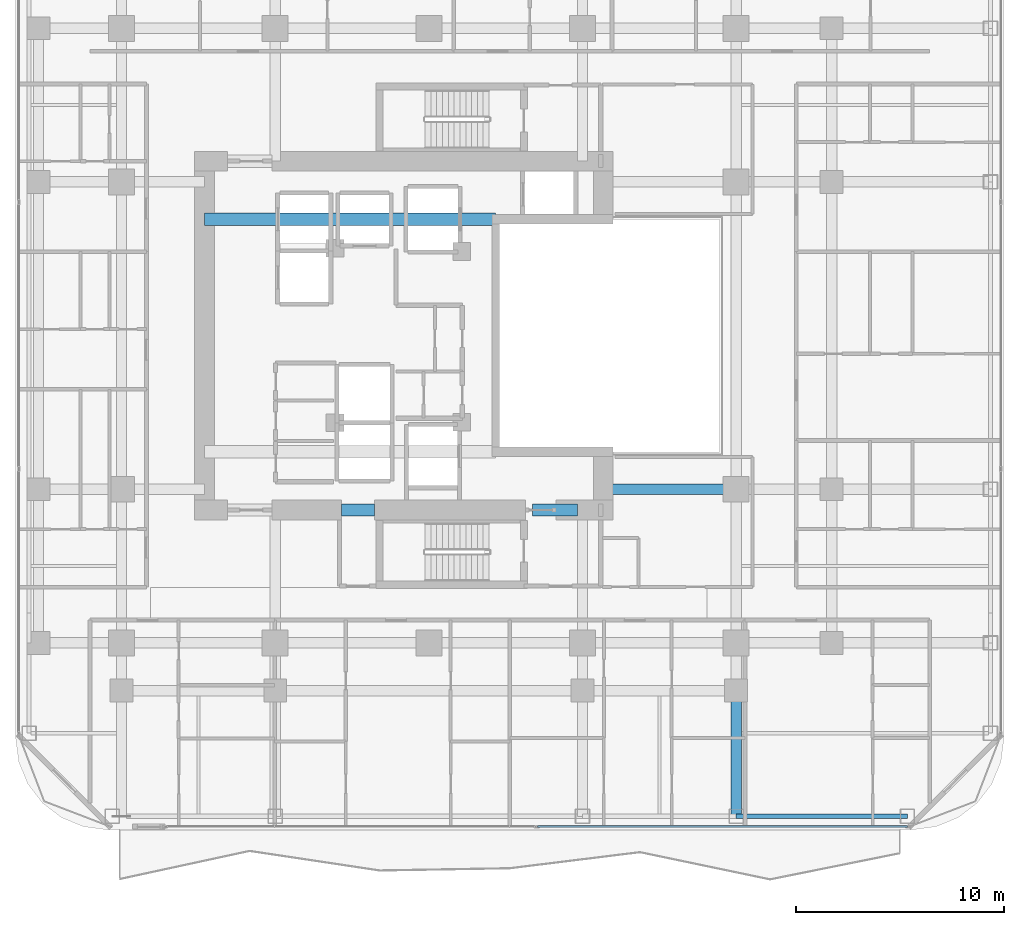
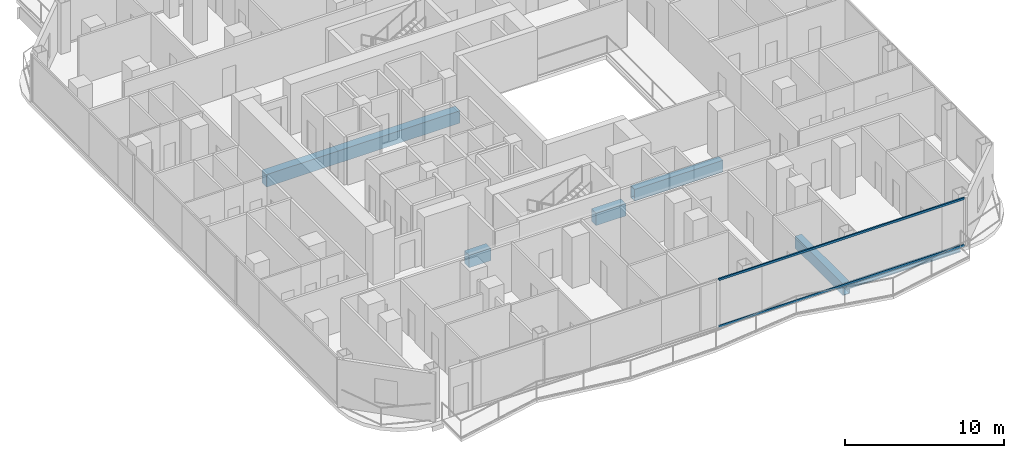
# One storey, part 9 of 29: 6 beams, 2 members, 1 element without a shape of its own.
"""IFC4 building model written with IfcOpenShell, lengths in metres."""

from ifc_helpers import new_model, si_unit, direction, frame, origin, origin_2d, place, context, subcontext, project, spatial, rectangle, hollow_rectangle, i_section, extrude, material, layer, layer_set, material_profile, profile_set, type_object, element, aggregate, save


model = new_model("IFC4")

# Units and contexts
model_context = context("Model", 3, precision=1e-05, world=origin(), true_north=direction((0.0, 1.0)))
body_context = subcontext(model_context, "Body", "Model", "MODEL_VIEW")
ifc_project = project(units=[si_unit("LENGTHUNIT", "METRE"), si_unit("AREAUNIT", "SQUARE_METRE"), si_unit("VOLUMEUNIT", "CUBIC_METRE"), si_unit("PLANEANGLEUNIT", "RADIAN"), si_unit("MASSUNIT", "GRAM", prefix="KILO")], contexts=[model_context])

# Site, building, storey
site_placement = place(None, origin())
site = spatial("IfcSite", under=ifc_project, at=site_placement, CompositionType="ELEMENT")
building_placement = place(site_placement, origin())
building = spatial("IfcBuilding", under=site, at=building_placement, Name="Khorvyn Point Tower", CompositionType="ELEMENT")
storey_placement = place(building_placement, frame((0.0, 0.0, 136.800048828125)))
storey = spatial("IfcBuildingStorey", under=building, at=storey_placement, Name="L34", CompositionType="ELEMENT", Elevation=136.800048828125)

# Curtain wall, members
ifc_material_1 = material(Name="Anodised aluminium 6063-T6 and laminated Low-E glass", Category="aluminium")
ifc_layer = layer(ifc_material_1, 0.18994140625)
ifc_layer_set = layer_set([ifc_layer], Name="Stick-Built Acoustic Curtain Wall CW-SYS-03")
curtain_wall_type = type_object("IfcCurtainWallType", Name="Stick-Built Acoustic Curtain Wall CW-SYS-03", PredefinedType="NOTDEFINED", material=ifc_layer_set)
curtain_wall_placement = place(storey_placement, origin())
curtain_wall = element("IfcCurtainWall", 1, at=curtain_wall_placement, inside=storey, type_object=curtain_wall_type, Name="Curtain Wall", PredefinedType="NOTDEFINED")
ifc_material_2 = material(Name="Anodised aluminium 6063-T6", Category="aluminium")
ifc_material_profile_1 = material_profile(ifc_material_2, hollow_rectangle(XDim=0.10009765625, YDim=0.159912109375, WallThickness=0.00439453125, at=origin_2d()))
ifc_profile_set_1 = profile_set([ifc_material_profile_1], Name="Anodised aluminium 6063-T6 ALU-TRN-100x160")
member_type = type_object("IfcMemberType", Name="Anodised Aluminium 6063-T6 Transom ALU-TRN-100x160", PredefinedType="USERDEFINED", material=ifc_profile_set_1)
member_1_placement = place(storey_placement, frame((23.050048828125, -23.64990234375, 0.050048828125), z_axis=(-1.0, 0.0, 0.0), x_axis=(0.0, -1.0, 0.0)))
member_1 = element("IfcMember", 2, at=member_1_placement, type_object=member_type, Name="Transom", ObjectType="TRANSOM", PredefinedType="USERDEFINED", context=body_context, shape_type="SweptSolid", body=[
    extrude(hollow_rectangle(XDim=0.10009765625, YDim=0.159912109375, WallThickness=0.00439453125, at=origin_2d()), origin(), (0.0, 0.0, 1.0), 17.8095703125),
])
member_2_placement = place(storey_placement, frame((23.050048828125, -23.64990234375, 3.6298828125), z_axis=(-1.0, 0.0, 0.0), x_axis=(0.0, -1.0, 0.0)))
member_2 = element("IfcMember", 3, at=member_2_placement, type_object=member_type, Name="Transom", ObjectType="TRANSOM", PredefinedType="USERDEFINED", context=body_context, shape_type="SweptSolid", body=[
    extrude(hollow_rectangle(XDim=0.10009765625, YDim=0.159912109375, WallThickness=0.00439453125, at=origin_2d()), origin(), (0.0, 0.0, 1.0), 17.8095703125),
])
aggregate(curtain_wall, [member_1, member_2])

# Beams
ifc_material_3 = material(Name="Concrete C50/60", Category="concrete")
ifc_material_profile_2 = material_profile(ifc_material_3, rectangle(XDim=0.60009765625, YDim=0.949951171875, at=origin_2d()))
ifc_profile_set_2 = profile_set([ifc_material_profile_2], Name="Concrete C50/60 RC600x950")
beam_type_1 = type_object("IfcBeamType", Name="Concrete C50/60 Beam RC600x950", PredefinedType="BEAM", material=ifc_profile_set_2)
beam_1_placement = place(storey_placement, frame((-10.800048828125, 5.60009765625, -0.755126953125), z_axis=(1.0, 0.0, 0.0), x_axis=(0.0, 1.0, 0.0)))
element("IfcBeam", 4, at=beam_1_placement, inside=storey, type_object=beam_type_1, Name="L34 Core Internal Tie Girder N", PredefinedType="BEAM", context=body_context, shape_type="SweptSolid", body=[
    extrude(rectangle(XDim=0.60009765625, YDim=0.949951171875, at=origin_2d()), origin(), (0.0, 0.0, 1.0), 14.02001953125),
])
beam_2_placement = place(storey_placement, frame((-4.199951171875, -8.39990234375, -0.755126953125), z_axis=(1.0, 0.0, 0.0), x_axis=(0.0, 1.0, 0.0)))
element("IfcBeam", 5, at=beam_2_placement, inside=storey, type_object=beam_type_1, Name="L34 Core Shuttle Portal Coupling Beam", PredefinedType="BEAM", context=body_context, shape_type="SweptSolid", body=[
    extrude(rectangle(XDim=0.60009765625, YDim=0.949951171875, at=origin_2d()), origin(), (0.0, 0.0, 1.0), 1.579833984375),
])
beam_3_placement = place(storey_placement, frame((5.0, -8.39990234375, -0.755126953125), z_axis=(1.0, 0.0, 0.0), x_axis=(0.0, 1.0, 0.0)))
element("IfcBeam", 6, at=beam_3_placement, inside=storey, type_object=beam_type_1, Name="L34 Core Southeast Portal Coupling Beam", PredefinedType="BEAM", context=body_context, shape_type="SweptSolid", body=[
    extrude(rectangle(XDim=0.60009765625, YDim=0.949951171875, at=origin_2d()), origin(), (0.0, 0.0, 1.0), 2.14990234375),
])
ifc_material_4 = material(Name="Steel S355", Category="steel")
ifc_material_profile_3 = material_profile(ifc_material_4, i_section(OverallWidth=0.199951171875, OverallDepth=0.449951171875, WebThickness=0.009033203125, FlangeThickness=0.013916015625, at=origin_2d()))
ifc_profile_set_3 = profile_set([ifc_material_profile_3], Name="Steel S355 H450x200x9x14")
beam_type_2 = type_object("IfcBeamType", Name="Steel S355 Spandrel H450x200x9x14", PredefinedType="SPANDREL", material=ifc_profile_set_3)
beam_4_placement = place(storey_placement, frame((14.800048828125, -23.14990234375, -0.505126953125), z_axis=(1.0, 0.0, 0.0), x_axis=(0.0, 1.0, 0.0)))
element("IfcBeam", 7, at=beam_4_placement, inside=storey, type_object=beam_type_2, Name="Beam", PredefinedType="SPANDREL", context=body_context, shape_type="SweptSolid", body=[
    extrude(i_section(OverallWidth=0.199951171875, OverallDepth=0.449951171875, WebThickness=0.009033203125, FlangeThickness=0.013916015625, at=origin_2d()), origin(), (0.0, 0.0, 1.0), 8.25),
])
ifc_material_5 = material(Name="Steel S450", Category="steel")
ifc_material_profile_4 = material_profile(ifc_material_5, hollow_rectangle(XDim=0.5, YDim=0.89990234375, WallThickness=0.0400390625, at=origin_2d()))
ifc_profile_set_4 = profile_set([ifc_material_profile_4], Name="Steel S450 BOX900x500x40")
beam_type_3 = type_object("IfcBeamType", Name="Steel S450 Beam BOX900x500x40", PredefinedType="BEAM", material=ifc_profile_set_4)
beam_5_placement = place(storey_placement, frame((8.39990234375, -7.39990234375, -0.72998046875), z_axis=(1.0, 0.0, 0.0), x_axis=(0.0, 1.0, 0.0)))
element("IfcBeam", 8, at=beam_5_placement, inside=storey, type_object=beam_type_3, Name="Beam", PredefinedType="BEAM", context=body_context, shape_type="SweptSolid", body=[
    extrude(hollow_rectangle(XDim=0.5, YDim=0.89990234375, WallThickness=0.0400390625, at=origin_2d()), origin(), (0.0, 0.0, 1.0), 6.400146484375),
])
beam_6_placement = place(storey_placement, frame((14.800048828125, -23.14990234375, -0.72998046875), z_axis=(0.0, 1.0, 0.0), x_axis=(-1.0, 0.0, 0.0)))
element("IfcBeam", 9, at=beam_6_placement, inside=storey, type_object=beam_type_3, Name="L34 Radial Transfer Girder", PredefinedType="BEAM", context=body_context, shape_type="SweptSolid", body=[
    extrude(hollow_rectangle(XDim=0.5, YDim=0.89990234375, WallThickness=0.0400390625, at=origin_2d()), origin(), (0.0, 0.0, 1.0), 6.0498046875),
])

save(model, "model.ifc")
